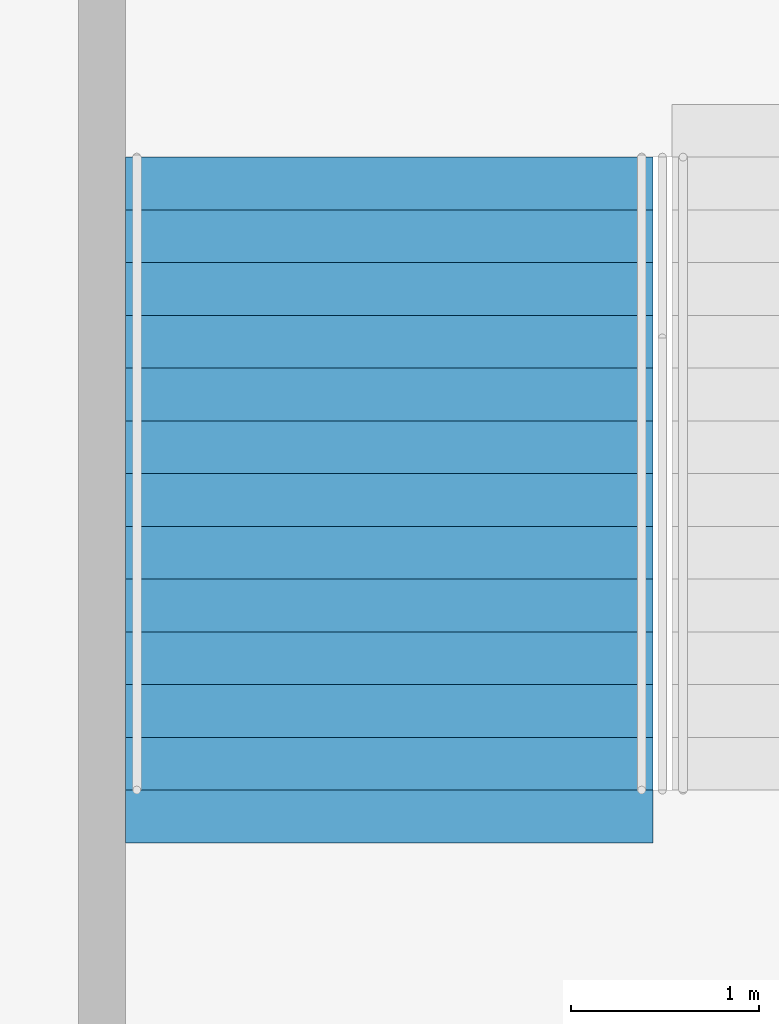
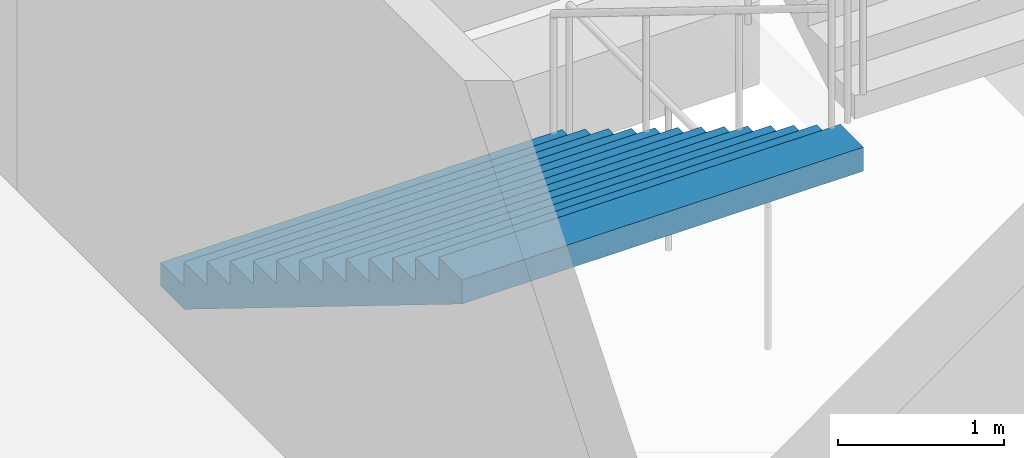
# One storey, part 98 of 177: 1 stair flight, 1 element without a shape of its own.
"""IFC4 building model written with IfcOpenShell, lengths in metres."""

from ifc_helpers import new_model, si_unit, direction, frame, origin, place, context, subcontext, project, spatial, faceted_brep, material, type_object, element, aggregate, save


model = new_model("IFC4")

# Units and contexts
model_context = context("Model", 3, precision=1e-05, world=origin(), true_north=direction((0.0, 1.0)))
body_context = subcontext(model_context, "Body", "Model", "MODEL_VIEW")
ifc_project = project(units=[si_unit("LENGTHUNIT", "METRE"), si_unit("AREAUNIT", "SQUARE_METRE"), si_unit("VOLUMEUNIT", "CUBIC_METRE"), si_unit("PLANEANGLEUNIT", "RADIAN"), si_unit("MASSUNIT", "GRAM", prefix="KILO")], contexts=[model_context])

# Site, building, storey
site_placement = place(None, origin())
site = spatial("IfcSite", under=ifc_project, at=site_placement, CompositionType="ELEMENT")
building_placement = place(site_placement, origin())
building = spatial("IfcBuilding", under=site, at=building_placement, Name="Ogive Plaza Stadium", CompositionType="ELEMENT")
storey_placement = place(building_placement, frame((0.0, 0.0, 18.0)))
storey = spatial("IfcBuildingStorey", under=building, at=storey_placement, Name="L04", CompositionType="ELEMENT", Elevation=18.0)

# Stair, stair flight
ifc_material_1 = material(Name="Concrete C40/50", Category="concrete")
stair_type = type_object("IfcStairType", Name="Exit stair", PredefinedType="STRAIGHT_RUN_STAIR", material=ifc_material_1)
stair_placement = place(storey_placement, origin())
stair = element("IfcStair", 1, at=stair_placement, inside=storey, type_object=stair_type, Name="Exit stair ST14A L04 to L05", PredefinedType="STRAIGHT_RUN_STAIR")
ifc_material_2 = material(Name="Concrete C40/50", Category="concrete")
stair_flight_type = type_object("IfcStairFlightType", Name="Exit stair flight", PredefinedType="STRAIGHT", material=ifc_material_2)
stair_flight_placement = place(storey_placement, frame((2.375, -94.85009765625, 0.0), z_axis=(0.0, 0.0, 1.0), x_axis=(0.0, -1.0, 0.0)))
stair_flight = element("IfcStairFlight", 2, at=stair_flight_placement, type_object=stair_flight_type, Name="ST14A flight 1", NumberOfRisers=13, NumberOfTreads=12, PredefinedType="STRAIGHT", RiserHeight=0.173076923, TreadLength=0.28, context=body_context, shape_type="Brep", body=[
    faceted_brep([(0.28515625, -1.39990234375, 0.0), (3.639892578125, -1.39990234375, 2.07373046875), (3.639892578125, -1.39990234375, 2.25), (3.360107421875, -1.39990234375, 2.25), (3.360107421875, -1.39990234375, 2.076904296875), (3.080078125, -1.39990234375, 2.076904296875), (3.080078125, -1.39990234375, 1.90380859375), (2.800048828125, -1.39990234375, 1.90380859375), (2.800048828125, -1.39990234375, 1.730712890625), (2.52001953125, -1.39990234375, 1.730712890625), (2.52001953125, -1.39990234375, 1.5576171875), (2.239990234375, -1.39990234375, 1.5576171875), (2.239990234375, -1.39990234375, 1.384521484375), (1.9599609375, -1.39990234375, 1.384521484375), (1.9599609375, -1.39990234375, 1.21142578125), (1.679931640625, -1.39990234375, 1.21142578125), (1.679931640625, -1.39990234375, 1.03857421875), (1.39990234375, -1.39990234375, 1.03857421875), (1.39990234375, -1.39990234375, 0.865478515625), (1.1201171875, -1.39990234375, 0.865478515625), (1.1201171875, -1.39990234375, 0.6923828125), (0.840087890625, -1.39990234375, 0.6923828125), (0.840087890625, -1.39990234375, 0.519287109375), (0.56005859375, -1.39990234375, 0.519287109375), (0.56005859375, -1.39990234375, 0.34619140625), (0.280029296875, -1.39990234375, 0.34619140625), (0.280029296875, -1.39990234375, 0.173095703125), (0.0, -1.39990234375, 0.173095703125), (0.0, -1.39990234375, 0.0), (0.0, 1.39990234375, 0.0), (0.0, 1.39990234375, 0.173095703125), (0.280029296875, 1.39990234375, 0.173095703125), (0.280029296875, 1.39990234375, 0.34619140625), (0.56005859375, 1.39990234375, 0.34619140625), (0.56005859375, 1.39990234375, 0.519287109375), (0.840087890625, 1.39990234375, 0.519287109375), (0.840087890625, 1.39990234375, 0.6923828125), (1.1201171875, 1.39990234375, 0.6923828125), (1.1201171875, 1.39990234375, 0.865478515625), (1.39990234375, 1.39990234375, 0.865478515625), (1.39990234375, 1.39990234375, 1.03857421875), (1.679931640625, 1.39990234375, 1.03857421875), (1.679931640625, 1.39990234375, 1.21142578125), (1.9599609375, 1.39990234375, 1.21142578125), (1.9599609375, 1.39990234375, 1.384521484375), (2.239990234375, 1.39990234375, 1.384521484375), (2.239990234375, 1.39990234375, 1.5576171875), (2.52001953125, 1.39990234375, 1.5576171875), (2.52001953125, 1.39990234375, 1.730712890625), (2.800048828125, 1.39990234375, 1.730712890625), (2.800048828125, 1.39990234375, 1.90380859375), (3.080078125, 1.39990234375, 1.90380859375), (3.080078125, 1.39990234375, 2.076904296875), (3.360107421875, 1.39990234375, 2.076904296875), (3.360107421875, 1.39990234375, 2.25), (3.639892578125, 1.39990234375, 2.25), (3.639892578125, 1.39990234375, 2.07373046875), (0.28515625, 1.39990234375, 0.0), (0.28515625, -1.0888671875, 0.0), (3.639892578125, -1.0888671875, 2.07373046875), (0.28515625, -0.77783203125, 0.0), (3.639892578125, -0.77783203125, 2.07373046875), (0.28515625, -0.466796875, 0.0), (3.639892578125, -0.466796875, 2.07373046875), (0.28515625, -0.155517578125, 0.0), (3.639892578125, -0.155517578125, 2.07373046875), (0.28515625, 0.155517578125, 0.0), (3.639892578125, 0.155517578125, 2.07373046875), (0.28515625, 0.466796875, 0.0), (3.639892578125, 0.466796875, 2.07373046875), (0.28515625, 0.77783203125, 0.0), (3.639892578125, 0.77783203125, 2.07373046875), (0.28515625, 1.0888671875, 0.0), (3.639892578125, 1.0888671875, 2.07373046875), (3.639892578125, -1.0888671875, 2.25), (3.639892578125, -0.77783203125, 2.25), (3.639892578125, -0.466796875, 2.25), (3.639892578125, -0.155517578125, 2.25), (3.639892578125, 0.155517578125, 2.25), (3.639892578125, 0.466796875, 2.25), (3.639892578125, 0.77783203125, 2.25), (3.639892578125, 1.0888671875, 2.25), (3.360107421875, -1.0888671875, 2.25), (3.360107421875, -0.77783203125, 2.25), (3.360107421875, -0.466796875, 2.25), (3.360107421875, -0.155517578125, 2.25), (3.360107421875, 0.155517578125, 2.25), (3.360107421875, 0.466796875, 2.25), (3.360107421875, 0.77783203125, 2.25), (3.360107421875, 1.0888671875, 2.25), (3.360107421875, -1.0888671875, 2.076904296875), (3.360107421875, -0.77783203125, 2.076904296875), (3.360107421875, -0.466796875, 2.076904296875), (3.360107421875, -0.155517578125, 2.076904296875), (3.360107421875, 0.155517578125, 2.076904296875), (3.360107421875, 0.466796875, 2.076904296875), (3.360107421875, 0.77783203125, 2.076904296875), (3.360107421875, 1.0888671875, 2.076904296875), (3.080078125, -1.0888671875, 2.076904296875), (3.080078125, -0.77783203125, 2.076904296875), (3.080078125, -0.466796875, 2.076904296875), (3.080078125, -0.155517578125, 2.076904296875), (3.080078125, 0.155517578125, 2.076904296875), (3.080078125, 0.466796875, 2.076904296875), (3.080078125, 0.77783203125, 2.076904296875), (3.080078125, 1.0888671875, 2.076904296875), (3.080078125, -1.0888671875, 1.90380859375), (3.080078125, -0.77783203125, 1.90380859375), (3.080078125, -0.466796875, 1.90380859375), (3.080078125, -0.155517578125, 1.90380859375), (3.080078125, 0.155517578125, 1.90380859375), (3.080078125, 0.466796875, 1.90380859375), (3.080078125, 0.77783203125, 1.90380859375), (3.080078125, 1.0888671875, 1.90380859375), (2.800048828125, -1.0888671875, 1.90380859375), (2.800048828125, -0.77783203125, 1.90380859375), (2.800048828125, -0.466796875, 1.90380859375), (2.800048828125, -0.155517578125, 1.90380859375), (2.800048828125, 0.155517578125, 1.90380859375), (2.800048828125, 0.466796875, 1.90380859375), (2.800048828125, 0.77783203125, 1.90380859375), (2.800048828125, 1.0888671875, 1.90380859375), (2.800048828125, -1.0888671875, 1.730712890625), (2.800048828125, -0.77783203125, 1.730712890625), (2.800048828125, -0.466796875, 1.730712890625), (2.800048828125, -0.155517578125, 1.730712890625), (2.800048828125, 0.155517578125, 1.730712890625), (2.800048828125, 0.466796875, 1.730712890625), (2.800048828125, 0.77783203125, 1.730712890625), (2.800048828125, 1.0888671875, 1.730712890625), (2.52001953125, -1.0888671875, 1.730712890625), (2.52001953125, -0.77783203125, 1.730712890625), (2.52001953125, -0.466796875, 1.730712890625), (2.52001953125, -0.155517578125, 1.730712890625), (2.52001953125, 0.155517578125, 1.730712890625), (2.52001953125, 0.466796875, 1.730712890625), (2.52001953125, 0.77783203125, 1.730712890625), (2.52001953125, 1.0888671875, 1.730712890625), (2.52001953125, -1.0888671875, 1.5576171875), (2.52001953125, -0.77783203125, 1.5576171875), (2.52001953125, -0.466796875, 1.5576171875), (2.52001953125, -0.155517578125, 1.5576171875), (2.52001953125, 0.155517578125, 1.5576171875), (2.52001953125, 0.466796875, 1.5576171875), (2.52001953125, 0.77783203125, 1.5576171875), (2.52001953125, 1.0888671875, 1.5576171875), (2.239990234375, -1.0888671875, 1.5576171875), (2.239990234375, -0.77783203125, 1.5576171875), (2.239990234375, -0.466796875, 1.5576171875), (2.239990234375, -0.155517578125, 1.5576171875), (2.239990234375, 0.155517578125, 1.5576171875), (2.239990234375, 0.466796875, 1.5576171875), (2.239990234375, 0.77783203125, 1.5576171875), (2.239990234375, 1.0888671875, 1.5576171875), (2.239990234375, -1.0888671875, 1.384521484375), (2.239990234375, -0.77783203125, 1.384521484375), (2.239990234375, -0.466796875, 1.384521484375), (2.239990234375, -0.155517578125, 1.384521484375), (2.239990234375, 0.155517578125, 1.384521484375), (2.239990234375, 0.466796875, 1.384521484375), (2.239990234375, 0.77783203125, 1.384521484375), (2.239990234375, 1.0888671875, 1.384521484375), (1.9599609375, -1.0888671875, 1.384521484375), (1.9599609375, -0.77783203125, 1.384521484375), (1.9599609375, -0.466796875, 1.384521484375), (1.9599609375, -0.155517578125, 1.384521484375), (1.9599609375, 0.155517578125, 1.384521484375), (1.9599609375, 0.466796875, 1.384521484375), (1.9599609375, 0.77783203125, 1.384521484375), (1.9599609375, 1.0888671875, 1.384521484375), (1.9599609375, -1.0888671875, 1.21142578125), (1.9599609375, -0.77783203125, 1.21142578125), (1.9599609375, -0.466796875, 1.21142578125), (1.9599609375, -0.155517578125, 1.21142578125), (1.9599609375, 0.155517578125, 1.21142578125), (1.9599609375, 0.466796875, 1.21142578125), (1.9599609375, 0.77783203125, 1.21142578125), (1.9599609375, 1.0888671875, 1.21142578125), (1.679931640625, -1.0888671875, 1.21142578125), (1.679931640625, -0.77783203125, 1.21142578125), (1.679931640625, -0.466796875, 1.21142578125), (1.679931640625, -0.155517578125, 1.21142578125), (1.679931640625, 0.155517578125, 1.21142578125), (1.679931640625, 0.466796875, 1.21142578125), (1.679931640625, 0.77783203125, 1.21142578125), (1.679931640625, 1.0888671875, 1.21142578125), (1.679931640625, -1.0888671875, 1.03857421875), (1.679931640625, -0.77783203125, 1.03857421875), (1.679931640625, -0.466796875, 1.03857421875), (1.679931640625, -0.155517578125, 1.03857421875), (1.679931640625, 0.155517578125, 1.03857421875), (1.679931640625, 0.466796875, 1.03857421875), (1.679931640625, 0.77783203125, 1.03857421875), (1.679931640625, 1.0888671875, 1.03857421875), (1.39990234375, -1.0888671875, 1.03857421875), (1.39990234375, -0.77783203125, 1.03857421875), (1.39990234375, -0.466796875, 1.03857421875), (1.39990234375, -0.155517578125, 1.03857421875), (1.39990234375, 0.155517578125, 1.03857421875), (1.39990234375, 0.466796875, 1.03857421875), (1.39990234375, 0.77783203125, 1.03857421875), (1.39990234375, 1.0888671875, 1.03857421875), (1.39990234375, -1.0888671875, 0.865478515625), (1.39990234375, -0.77783203125, 0.865478515625), (1.39990234375, -0.466796875, 0.865478515625), (1.39990234375, -0.155517578125, 0.865478515625), (1.39990234375, 0.155517578125, 0.865478515625), (1.39990234375, 0.466796875, 0.865478515625), (1.39990234375, 0.77783203125, 0.865478515625), (1.39990234375, 1.0888671875, 0.865478515625), (1.1201171875, -1.0888671875, 0.865478515625), (1.1201171875, -0.77783203125, 0.865478515625), (1.1201171875, -0.466796875, 0.865478515625), (1.1201171875, -0.155517578125, 0.865478515625), (1.1201171875, 0.155517578125, 0.865478515625), (1.1201171875, 0.466796875, 0.865478515625), (1.1201171875, 0.77783203125, 0.865478515625), (1.1201171875, 1.0888671875, 0.865478515625), (1.1201171875, -1.0888671875, 0.6923828125), (1.1201171875, -0.77783203125, 0.6923828125), (1.1201171875, -0.466796875, 0.6923828125), (1.1201171875, -0.155517578125, 0.6923828125), (1.1201171875, 0.155517578125, 0.6923828125), (1.1201171875, 0.466796875, 0.6923828125), (1.1201171875, 0.77783203125, 0.6923828125), (1.1201171875, 1.0888671875, 0.6923828125), (0.840087890625, -1.0888671875, 0.6923828125), (0.840087890625, -0.77783203125, 0.6923828125), (0.840087890625, -0.466796875, 0.6923828125), (0.840087890625, -0.155517578125, 0.6923828125), (0.840087890625, 0.155517578125, 0.6923828125), (0.840087890625, 0.466796875, 0.6923828125), (0.840087890625, 0.77783203125, 0.6923828125), (0.840087890625, 1.0888671875, 0.6923828125), (0.840087890625, -1.0888671875, 0.519287109375), (0.840087890625, -0.77783203125, 0.519287109375), (0.840087890625, -0.466796875, 0.519287109375), (0.840087890625, -0.155517578125, 0.519287109375), (0.840087890625, 0.155517578125, 0.519287109375), (0.840087890625, 0.466796875, 0.519287109375), (0.840087890625, 0.77783203125, 0.519287109375), (0.840087890625, 1.0888671875, 0.519287109375), (0.56005859375, -1.0888671875, 0.519287109375), (0.56005859375, -0.77783203125, 0.519287109375), (0.56005859375, -0.466796875, 0.519287109375), (0.56005859375, -0.155517578125, 0.519287109375), (0.56005859375, 0.155517578125, 0.519287109375), (0.56005859375, 0.466796875, 0.519287109375), (0.56005859375, 0.77783203125, 0.519287109375), (0.56005859375, 1.0888671875, 0.519287109375), (0.56005859375, -1.0888671875, 0.34619140625), (0.56005859375, -0.77783203125, 0.34619140625), (0.56005859375, -0.466796875, 0.34619140625), (0.56005859375, -0.155517578125, 0.34619140625), (0.56005859375, 0.155517578125, 0.34619140625), (0.56005859375, 0.466796875, 0.34619140625), (0.56005859375, 0.77783203125, 0.34619140625), (0.56005859375, 1.0888671875, 0.34619140625), (0.280029296875, -1.0888671875, 0.34619140625), (0.280029296875, -0.77783203125, 0.34619140625), (0.280029296875, -0.466796875, 0.34619140625), (0.280029296875, -0.155517578125, 0.34619140625), (0.280029296875, 0.155517578125, 0.34619140625), (0.280029296875, 0.466796875, 0.34619140625), (0.280029296875, 0.77783203125, 0.34619140625), (0.280029296875, 1.0888671875, 0.34619140625), (0.280029296875, -1.0888671875, 0.173095703125), (0.280029296875, -0.77783203125, 0.173095703125), (0.280029296875, -0.466796875, 0.173095703125), (0.280029296875, -0.155517578125, 0.173095703125), (0.280029296875, 0.155517578125, 0.173095703125), (0.280029296875, 0.466796875, 0.173095703125), (0.280029296875, 0.77783203125, 0.173095703125), (0.280029296875, 1.0888671875, 0.173095703125), (0.0, -1.0888671875, 0.173095703125), (0.0, -0.77783203125, 0.173095703125), (0.0, -0.466796875, 0.173095703125), (0.0, -0.155517578125, 0.173095703125), (0.0, 0.155517578125, 0.173095703125), (0.0, 0.466796875, 0.173095703125), (0.0, 0.77783203125, 0.173095703125), (0.0, 1.0888671875, 0.173095703125), (0.0, -1.0888671875, 0.0), (0.0, -0.77783203125, 0.0), (0.0, -0.466796875, 0.0), (0.0, -0.155517578125, 0.0), (0.0, 0.155517578125, 0.0), (0.0, 0.466796875, 0.0), (0.0, 0.77783203125, 0.0), (0.0, 1.0888671875, 0.0)], [[[0, 1, 2, 3, 4, 5, 6, 7, 8, 9, 10, 11, 12, 13, 14, 15, 16, 17, 18, 19, 20, 21, 22, 23, 24, 25, 26, 27, 28]], [[29, 30, 31, 32, 33, 34, 35, 36, 37, 38, 39, 40, 41, 42, 43, 44, 45, 46, 47, 48, 49, 50, 51, 52, 53, 54, 55, 56, 57]], [[0, 58, 59, 1]], [[58, 60, 61, 59]], [[60, 62, 63, 61]], [[62, 64, 65, 63]], [[64, 66, 67, 65]], [[66, 68, 69, 67]], [[68, 70, 71, 69]], [[70, 72, 73, 71]], [[72, 57, 56, 73]], [[1, 59, 74, 2]], [[59, 61, 75, 74]], [[61, 63, 76, 75]], [[63, 65, 77, 76]], [[65, 67, 78, 77]], [[67, 69, 79, 78]], [[69, 71, 80, 79]], [[71, 73, 81, 80]], [[73, 56, 55, 81]], [[2, 74, 82, 3]], [[74, 75, 83, 82]], [[75, 76, 84, 83]], [[76, 77, 85, 84]], [[77, 78, 86, 85]], [[78, 79, 87, 86]], [[79, 80, 88, 87]], [[80, 81, 89, 88]], [[81, 55, 54, 89]], [[3, 82, 90, 4]], [[82, 83, 91, 90]], [[83, 84, 92, 91]], [[84, 85, 93, 92]], [[85, 86, 94, 93]], [[86, 87, 95, 94]], [[87, 88, 96, 95]], [[88, 89, 97, 96]], [[89, 54, 53, 97]], [[4, 90, 98, 5]], [[90, 91, 99, 98]], [[91, 92, 100, 99]], [[92, 93, 101, 100]], [[93, 94, 102, 101]], [[94, 95, 103, 102]], [[95, 96, 104, 103]], [[96, 97, 105, 104]], [[97, 53, 52, 105]], [[5, 98, 106, 6]], [[98, 99, 107, 106]], [[99, 100, 108, 107]], [[100, 101, 109, 108]], [[101, 102, 110, 109]], [[102, 103, 111, 110]], [[103, 104, 112, 111]], [[104, 105, 113, 112]], [[105, 52, 51, 113]], [[6, 106, 114, 7]], [[106, 107, 115, 114]], [[107, 108, 116, 115]], [[108, 109, 117, 116]], [[109, 110, 118, 117]], [[110, 111, 119, 118]], [[111, 112, 120, 119]], [[112, 113, 121, 120]], [[113, 51, 50, 121]], [[7, 114, 122, 8]], [[114, 115, 123, 122]], [[115, 116, 124, 123]], [[116, 117, 125, 124]], [[117, 118, 126, 125]], [[118, 119, 127, 126]], [[119, 120, 128, 127]], [[120, 121, 129, 128]], [[121, 50, 49, 129]], [[8, 122, 130, 9]], [[122, 123, 131, 130]], [[123, 124, 132, 131]], [[124, 125, 133, 132]], [[125, 126, 134, 133]], [[126, 127, 135, 134]], [[127, 128, 136, 135]], [[128, 129, 137, 136]], [[129, 49, 48, 137]], [[9, 130, 138, 10]], [[130, 131, 139, 138]], [[131, 132, 140, 139]], [[132, 133, 141, 140]], [[133, 134, 142, 141]], [[134, 135, 143, 142]], [[135, 136, 144, 143]], [[136, 137, 145, 144]], [[137, 48, 47, 145]], [[10, 138, 146, 11]], [[138, 139, 147, 146]], [[139, 140, 148, 147]], [[140, 141, 149, 148]], [[141, 142, 150, 149]], [[142, 143, 151, 150]], [[143, 144, 152, 151]], [[144, 145, 153, 152]], [[145, 47, 46, 153]], [[11, 146, 154, 12]], [[146, 147, 155, 154]], [[147, 148, 156, 155]], [[148, 149, 157, 156]], [[149, 150, 158, 157]], [[150, 151, 159, 158]], [[151, 152, 160, 159]], [[152, 153, 161, 160]], [[153, 46, 45, 161]], [[12, 154, 162, 13]], [[154, 155, 163, 162]], [[155, 156, 164, 163]], [[156, 157, 165, 164]], [[157, 158, 166, 165]], [[158, 159, 167, 166]], [[159, 160, 168, 167]], [[160, 161, 169, 168]], [[161, 45, 44, 169]], [[13, 162, 170, 14]], [[162, 163, 171, 170]], [[163, 164, 172, 171]], [[164, 165, 173, 172]], [[165, 166, 174, 173]], [[166, 167, 175, 174]], [[167, 168, 176, 175]], [[168, 169, 177, 176]], [[169, 44, 43, 177]], [[14, 170, 178, 15]], [[170, 171, 179, 178]], [[171, 172, 180, 179]], [[172, 173, 181, 180]], [[173, 174, 182, 181]], [[174, 175, 183, 182]], [[175, 176, 184, 183]], [[176, 177, 185, 184]], [[177, 43, 42, 185]], [[15, 178, 186, 16]], [[178, 179, 187, 186]], [[179, 180, 188, 187]], [[180, 181, 189, 188]], [[181, 182, 190, 189]], [[182, 183, 191, 190]], [[183, 184, 192, 191]], [[184, 185, 193, 192]], [[185, 42, 41, 193]], [[16, 186, 194, 17]], [[186, 187, 195, 194]], [[187, 188, 196, 195]], [[188, 189, 197, 196]], [[189, 190, 198, 197]], [[190, 191, 199, 198]], [[191, 192, 200, 199]], [[192, 193, 201, 200]], [[193, 41, 40, 201]], [[17, 194, 202, 18]], [[194, 195, 203, 202]], [[195, 196, 204, 203]], [[196, 197, 205, 204]], [[197, 198, 206, 205]], [[198, 199, 207, 206]], [[199, 200, 208, 207]], [[200, 201, 209, 208]], [[201, 40, 39, 209]], [[18, 202, 210, 19]], [[202, 203, 211, 210]], [[203, 204, 212, 211]], [[204, 205, 213, 212]], [[205, 206, 214, 213]], [[206, 207, 215, 214]], [[207, 208, 216, 215]], [[208, 209, 217, 216]], [[209, 39, 38, 217]], [[19, 210, 218, 20]], [[210, 211, 219, 218]], [[211, 212, 220, 219]], [[212, 213, 221, 220]], [[213, 214, 222, 221]], [[214, 215, 223, 222]], [[215, 216, 224, 223]], [[216, 217, 225, 224]], [[217, 38, 37, 225]], [[20, 218, 226, 21]], [[218, 219, 227, 226]], [[219, 220, 228, 227]], [[220, 221, 229, 228]], [[221, 222, 230, 229]], [[222, 223, 231, 230]], [[223, 224, 232, 231]], [[224, 225, 233, 232]], [[225, 37, 36, 233]], [[21, 226, 234, 22]], [[226, 227, 235, 234]], [[227, 228, 236, 235]], [[228, 229, 237, 236]], [[229, 230, 238, 237]], [[230, 231, 239, 238]], [[231, 232, 240, 239]], [[232, 233, 241, 240]], [[233, 36, 35, 241]], [[22, 234, 242, 23]], [[234, 235, 243, 242]], [[235, 236, 244, 243]], [[236, 237, 245, 244]], [[237, 238, 246, 245]], [[238, 239, 247, 246]], [[239, 240, 248, 247]], [[240, 241, 249, 248]], [[241, 35, 34, 249]], [[23, 242, 250, 24]], [[242, 243, 251, 250]], [[243, 244, 252, 251]], [[244, 245, 253, 252]], [[245, 246, 254, 253]], [[246, 247, 255, 254]], [[247, 248, 256, 255]], [[248, 249, 257, 256]], [[249, 34, 33, 257]], [[24, 250, 258, 25]], [[250, 251, 259, 258]], [[251, 252, 260, 259]], [[252, 253, 261, 260]], [[253, 254, 262, 261]], [[254, 255, 263, 262]], [[255, 256, 264, 263]], [[256, 257, 265, 264]], [[257, 33, 32, 265]], [[25, 258, 266, 26]], [[258, 259, 267, 266]], [[259, 260, 268, 267]], [[260, 261, 269, 268]], [[261, 262, 270, 269]], [[262, 263, 271, 270]], [[263, 264, 272, 271]], [[264, 265, 273, 272]], [[265, 32, 31, 273]], [[26, 266, 274, 27]], [[266, 267, 275, 274]], [[267, 268, 276, 275]], [[268, 269, 277, 276]], [[269, 270, 278, 277]], [[270, 271, 279, 278]], [[271, 272, 280, 279]], [[272, 273, 281, 280]], [[273, 31, 30, 281]], [[27, 274, 282, 28]], [[274, 275, 283, 282]], [[275, 276, 284, 283]], [[276, 277, 285, 284]], [[277, 278, 286, 285]], [[278, 279, 287, 286]], [[279, 280, 288, 287]], [[280, 281, 289, 288]], [[281, 30, 29, 289]], [[28, 282, 58, 0]], [[282, 283, 60, 58]], [[283, 284, 62, 60]], [[284, 285, 64, 62]], [[285, 286, 66, 64]], [[286, 287, 68, 66]], [[287, 288, 70, 68]], [[288, 289, 72, 70]], [[289, 29, 57, 72]]]),
])
aggregate(stair, [stair_flight])

save(model, "model.ifc")
